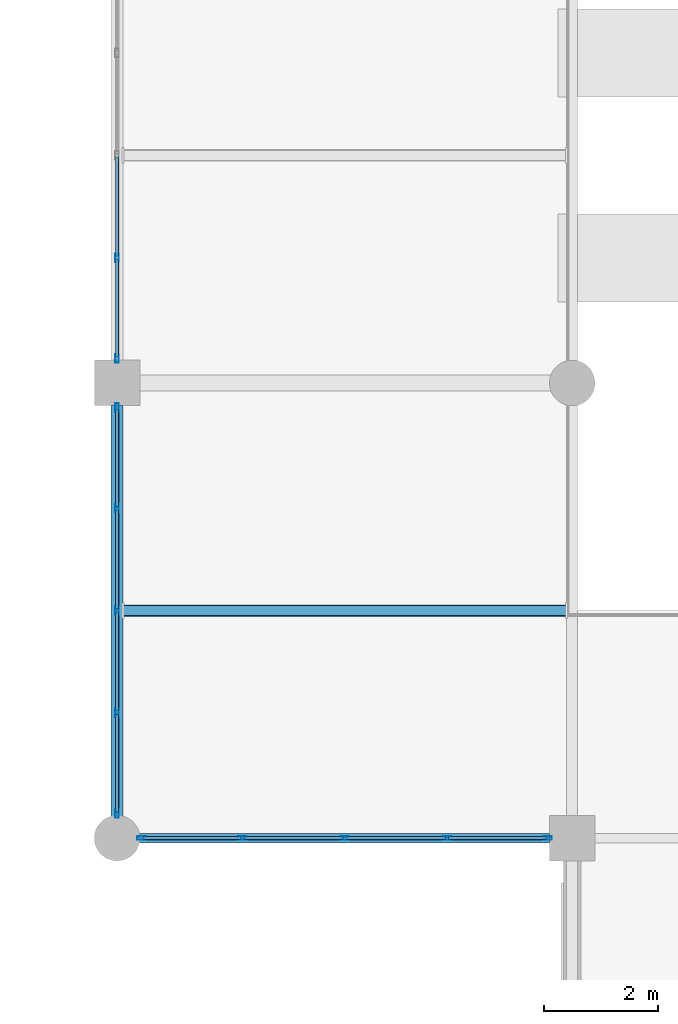
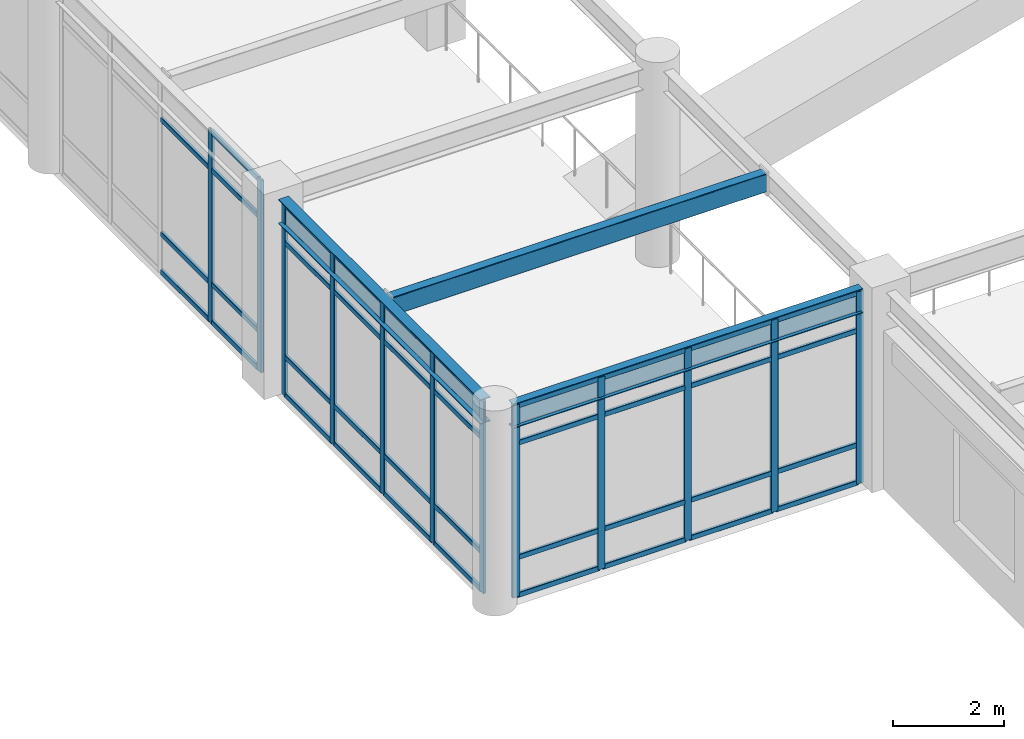
# One storey, part 20 of 93: 51 members, 3 beams, 3 elements without a shape of their own.
"""IFC4 building model written with IfcOpenShell, lengths in metres."""

from ifc_helpers import new_model, si_unit, direction, frame, origin, origin_2d, place, context, subcontext, project, spatial, hollow_rectangle, i_section, extrude, material, material_profile, profile_set, type_object, element, aggregate, save


model = new_model("IFC4")

# Units and contexts
model_context = context("Model", 3, precision=1e-05, world=origin(), true_north=direction((0.0, 1.0)))
body_context = subcontext(model_context, "Body", "Model", "MODEL_VIEW")
ifc_project = project(units=[si_unit("LENGTHUNIT", "METRE"), si_unit("AREAUNIT", "SQUARE_METRE"), si_unit("VOLUMEUNIT", "CUBIC_METRE"), si_unit("PLANEANGLEUNIT", "RADIAN"), si_unit("MASSUNIT", "GRAM", prefix="KILO")], contexts=[model_context])

# Site, building, storey
site_placement = place(None, origin())
site = spatial("IfcSite", under=ifc_project, at=site_placement, CompositionType="ELEMENT")
building_placement = place(site_placement, origin())
building = spatial("IfcBuilding", under=site, at=building_placement, Name="Solmirada Galleria", CompositionType="ELEMENT")
storey_placement = place(building_placement, frame((0.0, 0.0, 14.89990234375)))
storey = spatial("IfcBuildingStorey", under=building, at=storey_placement, Name="L03", CompositionType="ELEMENT", Elevation=14.89990234375)

# Beams
ifc_material_1 = material(Name="Steel S355 / ASTM A992 Grade 50", Category="steel")
ifc_material_profile_1 = material_profile(ifc_material_1, i_section(OverallWidth=0.2099609375, OverallDepth=0.537109375, WebThickness=0.010986328125, FlangeThickness=0.017333984375, FilletRadius=0.014892578125, at=origin_2d()), Name="W21X68")
ifc_profile_set_1 = profile_set([ifc_material_profile_1], Name="Steel S355 / ASTM A992 Grade 50")
beam_type_1 = type_object("IfcBeamType", Name="BM-GIRD-W21B", PredefinedType="BEAM", material=ifc_profile_set_1)
beam_1_placement = place(storey_placement, frame((80.0, 48.3359375, 4.031494140625), z_axis=(0.0, 1.0, 0.0), x_axis=(-1.0, 0.0, 0.0)))
element("IfcBeam", 1, at=beam_1_placement, inside=storey, type_object=beam_type_1, Name="Primary girder L04 Y(80, 48..56)", PredefinedType="BEAM", context=body_context, shape_type="SweptSolid", body=[
    extrude(i_section(OverallWidth=0.2099609375, OverallDepth=0.537109375, WebThickness=0.010986328125, FlangeThickness=0.017333984375, FilletRadius=0.014892578125, at=origin_2d()), origin(), (0.0, 0.0, 1.0), 7.26416015625),
])
ifc_material_profile_2 = material_profile(ifc_material_1, i_section(OverallWidth=0.1669921875, OverallDepth=0.534912109375, WebThickness=0.01025390625, FlangeThickness=0.0166015625, FilletRadius=0.013916015625, at=origin_2d()), Name="W21X57")
ifc_profile_set_2 = profile_set([ifc_material_profile_2], Name="Steel S355 / ASTM A992 Grade 50")
beam_type_2 = type_object("IfcBeamType", Name="BM-GIRD-W21C", PredefinedType="BEAM", material=ifc_profile_set_2)
beam_2_placement = place(storey_placement, frame((80.3359375, 48.0, 4.03271484375), z_axis=(1.0, 0.0, 0.0), x_axis=(0.0, 1.0, 0.0)))
element("IfcBeam", 2, at=beam_2_placement, inside=storey, type_object=beam_type_2, Name="Primary beam L04 X(80..88, 48)", PredefinedType="BEAM", context=body_context, shape_type="SweptSolid", body=[
    extrude(i_section(OverallWidth=0.1669921875, OverallDepth=0.534912109375, WebThickness=0.01025390625, FlangeThickness=0.0166015625, FilletRadius=0.013916015625, at=origin_2d()), origin(), (0.0, 0.0, 1.0), 7.26416015625),
])
ifc_material_2 = material(Name="Steel S355 / ASTM A500 Grade C", Category="steel")
ifc_material_profile_3 = material_profile(ifc_material_2, hollow_rectangle(XDim=0.202880859375, YDim=0.406005859375, WallThickness=0.01171875, InnerFilletRadius=0.01171875, OuterFilletRadius=0.023681640625, at=origin_2d()), Name="HSS16X8X1/2")
ifc_profile_set_3 = profile_set([ifc_material_profile_3], Name="Steel S355 / ASTM A500 Grade C")
beam_type_3 = type_object("IfcBeamType", Name="BM-JST-W16B", PredefinedType="JOIST", material=ifc_profile_set_3)
beam_3_placement = place(storey_placement, frame((80.10498046875, 52.0, 4.09716796875), z_axis=(1.0, 0.0, 0.0), x_axis=(0.0, 1.0, 0.0)))
element("IfcBeam", 3, at=beam_3_placement, inside=storey, type_object=beam_type_3, Name="Composite floor joist L04 (80..88, 52.0)", PredefinedType="JOIST", context=body_context, shape_type="SweptSolid", body=[
    extrude(hollow_rectangle(XDim=0.202880859375, YDim=0.406005859375, WallThickness=0.01171875, InnerFilletRadius=0.01171875, OuterFilletRadius=0.023681640625, at=origin_2d()), origin(), (0.0, 0.0, 1.0), 7.798095703125),
])

# Curtain wall, members
ifc_material_3 = material(Name="Impact-resistant low-E double glazing", Category="glass")
curtain_wall_type = type_object("IfcCurtainWallType", Name="CW-FZ3-L03-B4-L072", PredefinedType="NOTDEFINED", material=ifc_material_3)
curtain_wall_1_placement = place(storey_placement, origin())
curtain_wall_1 = element("IfcCurtainWall", 4, at=curtain_wall_1_placement, inside=storey, type_object=curtain_wall_type, Name="Terrace and arcade storefront CW-L03-118", PredefinedType="NOTDEFINED")
ifc_material_4 = material(Name="Anodised aluminium framing", Category="aluminium")
ifc_material_profile_4 = material_profile(ifc_material_4, hollow_rectangle(XDim=0.06005859375, YDim=0.14990234375, WallThickness=0.00341796875, InnerFilletRadius=0.00341796875, OuterFilletRadius=0.007080078125, at=origin_2d()), Name="ALU-MULL-150X60")
ifc_profile_set_4 = profile_set([ifc_material_profile_4], Name="Anodised aluminium framing")
member_type_1 = type_object("IfcMemberType", Name="CW-MULL-150", PredefinedType="MULLION", material=ifc_profile_set_4)
member_1_placement = place(storey_placement, frame((87.568115234375, 48.0, 0.0), z_axis=(0.0, 0.0, 1.0), x_axis=(0.0, -1.0, 0.0)))
member_1 = element("IfcMember", 5, at=member_1_placement, type_object=member_type_1, Name="CW27 mullion 1", PredefinedType="MULLION", context=body_context, shape_type="SweptSolid", body=[
    extrude(hollow_rectangle(XDim=0.06005859375, YDim=0.14990234375, WallThickness=0.00341796875, InnerFilletRadius=0.00341796875, OuterFilletRadius=0.007080078125, at=origin_2d()), origin(), (0.0, 0.0, 1.0), 4.22021484375),
])
member_2_placement = place(storey_placement, frame((85.799072265625, 48.0, 0.0), z_axis=(0.0, 0.0, 1.0), x_axis=(0.0, -1.0, 0.0)))
member_2 = element("IfcMember", 6, at=member_2_placement, type_object=member_type_1, Name="CW27 mullion 2", PredefinedType="MULLION", context=body_context, shape_type="SweptSolid", body=[
    extrude(hollow_rectangle(XDim=0.06005859375, YDim=0.14990234375, WallThickness=0.00341796875, InnerFilletRadius=0.00341796875, OuterFilletRadius=0.007080078125, at=origin_2d()), origin(), (0.0, 0.0, 1.0), 4.22021484375),
])
member_3_placement = place(storey_placement, frame((84.0, 48.0, 0.0), z_axis=(0.0, 0.0, 1.0), x_axis=(0.0, -1.0, 0.0)))
member_3 = element("IfcMember", 7, at=member_3_placement, type_object=member_type_1, Name="CW27 mullion 3", PredefinedType="MULLION", context=body_context, shape_type="SweptSolid", body=[
    extrude(hollow_rectangle(XDim=0.06005859375, YDim=0.14990234375, WallThickness=0.00341796875, InnerFilletRadius=0.00341796875, OuterFilletRadius=0.007080078125, at=origin_2d()), origin(), (0.0, 0.0, 1.0), 4.22021484375),
])
member_4_placement = place(storey_placement, frame((82.200927734375, 48.0, 0.0), z_axis=(0.0, 0.0, 1.0), x_axis=(0.0, -1.0, 0.0)))
member_4 = element("IfcMember", 8, at=member_4_placement, type_object=member_type_1, Name="CW27 mullion 4", PredefinedType="MULLION", context=body_context, shape_type="SweptSolid", body=[
    extrude(hollow_rectangle(XDim=0.06005859375, YDim=0.14990234375, WallThickness=0.00341796875, InnerFilletRadius=0.00341796875, OuterFilletRadius=0.007080078125, at=origin_2d()), origin(), (0.0, 0.0, 1.0), 4.22021484375),
])
member_5_placement = place(storey_placement, frame((80.431884765625, 48.0, 0.0), z_axis=(0.0, 0.0, 1.0), x_axis=(0.0, -1.0, 0.0)))
member_5 = element("IfcMember", 9, at=member_5_placement, type_object=member_type_1, Name="CW27 mullion 5", PredefinedType="MULLION", context=body_context, shape_type="SweptSolid", body=[
    extrude(hollow_rectangle(XDim=0.06005859375, YDim=0.14990234375, WallThickness=0.00341796875, InnerFilletRadius=0.00341796875, OuterFilletRadius=0.007080078125, at=origin_2d()), origin(), (0.0, 0.0, 1.0), 4.22021484375),
])

curtain_wall_2_placement = place(storey_placement, origin())
curtain_wall_2 = element("IfcCurtainWall", 10, at=curtain_wall_2_placement, inside=storey, type_object=curtain_wall_type, Name="Terrace and arcade storefront CW-L03-119", PredefinedType="NOTDEFINED")
member_6_placement = place(storey_placement, frame((80.0, 48.431884765625, 0.0), z_axis=(0.0, 0.0, 1.0), x_axis=(-1.0, 0.0, 0.0)))
member_6 = element("IfcMember", 11, at=member_6_placement, type_object=member_type_1, Name="CW27 mullion 1", PredefinedType="MULLION", context=body_context, shape_type="SweptSolid", body=[
    extrude(hollow_rectangle(XDim=0.06005859375, YDim=0.14990234375, WallThickness=0.00341796875, InnerFilletRadius=0.00341796875, OuterFilletRadius=0.007080078125, at=origin_2d()), origin(), (0.0, 0.0, 1.0), 4.22021484375),
])
member_7_placement = place(storey_placement, frame((80.0, 50.200927734375, 0.0), z_axis=(0.0, 0.0, 1.0), x_axis=(-1.0, 0.0, 0.0)))
member_7 = element("IfcMember", 12, at=member_7_placement, type_object=member_type_1, Name="CW27 mullion 2", PredefinedType="MULLION", context=body_context, shape_type="SweptSolid", body=[
    extrude(hollow_rectangle(XDim=0.06005859375, YDim=0.14990234375, WallThickness=0.00341796875, InnerFilletRadius=0.00341796875, OuterFilletRadius=0.007080078125, at=origin_2d()), origin(), (0.0, 0.0, 1.0), 4.22021484375),
])
member_8_placement = place(storey_placement, frame((80.0, 52.0, 0.0), z_axis=(0.0, 0.0, 1.0), x_axis=(-1.0, 0.0, 0.0)))
member_8 = element("IfcMember", 13, at=member_8_placement, type_object=member_type_1, Name="CW27 mullion 3", PredefinedType="MULLION", context=body_context, shape_type="SweptSolid", body=[
    extrude(hollow_rectangle(XDim=0.06005859375, YDim=0.14990234375, WallThickness=0.00341796875, InnerFilletRadius=0.00341796875, OuterFilletRadius=0.007080078125, at=origin_2d()), origin(), (0.0, 0.0, 1.0), 4.22021484375),
])
member_9_placement = place(storey_placement, frame((80.0, 53.799072265625, 0.0), z_axis=(0.0, 0.0, 1.0), x_axis=(-1.0, 0.0, 0.0)))
member_9 = element("IfcMember", 14, at=member_9_placement, type_object=member_type_1, Name="CW27 mullion 4", PredefinedType="MULLION", context=body_context, shape_type="SweptSolid", body=[
    extrude(hollow_rectangle(XDim=0.06005859375, YDim=0.14990234375, WallThickness=0.00341796875, InnerFilletRadius=0.00341796875, OuterFilletRadius=0.007080078125, at=origin_2d()), origin(), (0.0, 0.0, 1.0), 4.22021484375),
])
member_10_placement = place(storey_placement, frame((80.0, 55.568115234375, 0.0), z_axis=(0.0, 0.0, 1.0), x_axis=(-1.0, 0.0, 0.0)))
member_10 = element("IfcMember", 15, at=member_10_placement, type_object=member_type_1, Name="CW27 mullion 5", PredefinedType="MULLION", context=body_context, shape_type="SweptSolid", body=[
    extrude(hollow_rectangle(XDim=0.06005859375, YDim=0.14990234375, WallThickness=0.00341796875, InnerFilletRadius=0.00341796875, OuterFilletRadius=0.007080078125, at=origin_2d()), origin(), (0.0, 0.0, 1.0), 4.22021484375),
])

curtain_wall_3_placement = place(storey_placement, origin())
curtain_wall_3 = element("IfcCurtainWall", 16, at=curtain_wall_3_placement, inside=storey, type_object=curtain_wall_type, Name="Terrace and arcade storefront CW-L03-120", PredefinedType="NOTDEFINED")
member_11_placement = place(storey_placement, frame((80.0, 56.431884765625, 0.0), z_axis=(0.0, 0.0, 1.0), x_axis=(-1.0, 0.0, 0.0)))
member_11 = element("IfcMember", 17, at=member_11_placement, type_object=member_type_1, Name="CW27 mullion 1", PredefinedType="MULLION", context=body_context, shape_type="SweptSolid", body=[
    extrude(hollow_rectangle(XDim=0.06005859375, YDim=0.14990234375, WallThickness=0.00341796875, InnerFilletRadius=0.00341796875, OuterFilletRadius=0.007080078125, at=origin_2d()), origin(), (0.0, 0.0, 1.0), 4.22021484375),
])
member_12_placement = place(storey_placement, frame((80.0, 58.200927734375, 0.0), z_axis=(0.0, 0.0, 1.0), x_axis=(-1.0, 0.0, 0.0)))
member_12 = element("IfcMember", 18, at=member_12_placement, type_object=member_type_1, Name="CW27 mullion 2", PredefinedType="MULLION", context=body_context, shape_type="SweptSolid", body=[
    extrude(hollow_rectangle(XDim=0.06005859375, YDim=0.14990234375, WallThickness=0.00341796875, InnerFilletRadius=0.00341796875, OuterFilletRadius=0.007080078125, at=origin_2d()), origin(), (0.0, 0.0, 1.0), 4.22021484375),
])

# Member
ifc_material_profile_5 = material_profile(ifc_material_4, hollow_rectangle(XDim=0.06005859375, YDim=0.110107421875, WallThickness=0.003173828125, InnerFilletRadius=0.003173828125, OuterFilletRadius=0.00634765625, at=origin_2d()), Name="ALU-TRAN-110X60")
ifc_profile_set_5 = profile_set([ifc_material_profile_5], Name="Anodised aluminium framing")
member_type_2 = type_object("IfcMemberType", Name="CW-TRAN-110", PredefinedType="USERDEFINED", material=ifc_profile_set_5)
member_13_placement = place(storey_placement, frame((87.5380859375, 48.0, 0.030029296875), z_axis=(-1.0, 0.0, 0.0), x_axis=(0.0, -1.0, 0.0)))
member_13 = element("IfcMember", 19, at=member_13_placement, type_object=member_type_2, Name="CW27 transom 1.1", ObjectType="TRANSOM", PredefinedType="USERDEFINED", context=body_context, shape_type="SweptSolid", body=[
    extrude(hollow_rectangle(XDim=0.06005859375, YDim=0.110107421875, WallThickness=0.003173828125, InnerFilletRadius=0.003173828125, OuterFilletRadius=0.00634765625, at=origin_2d()), origin(), (0.0, 0.0, 1.0), 1.708984375),
])

member_14_placement = place(storey_placement, frame((87.5380859375, 48.0, 0.860107421875), z_axis=(-1.0, 0.0, 0.0), x_axis=(0.0, -1.0, 0.0)))
member_14 = element("IfcMember", 20, at=member_14_placement, type_object=member_type_2, Name="CW27 transom 1.2", ObjectType="TRANSOM", PredefinedType="USERDEFINED", context=body_context, shape_type="SweptSolid", body=[
    extrude(hollow_rectangle(XDim=0.06005859375, YDim=0.110107421875, WallThickness=0.003173828125, InnerFilletRadius=0.003173828125, OuterFilletRadius=0.00634765625, at=origin_2d()), origin(), (0.0, 0.0, 1.0), 1.708984375),
])

member_15_placement = place(storey_placement, frame((87.5380859375, 48.0, 3.3701171875), z_axis=(-1.0, 0.0, 0.0), x_axis=(0.0, -1.0, 0.0)))
member_15 = element("IfcMember", 21, at=member_15_placement, type_object=member_type_2, Name="CW27 transom 1.3", ObjectType="TRANSOM", PredefinedType="USERDEFINED", context=body_context, shape_type="SweptSolid", body=[
    extrude(hollow_rectangle(XDim=0.06005859375, YDim=0.110107421875, WallThickness=0.003173828125, InnerFilletRadius=0.003173828125, OuterFilletRadius=0.00634765625, at=origin_2d()), origin(), (0.0, 0.0, 1.0), 1.708984375),
])

member_16_placement = place(storey_placement, frame((87.5380859375, 48.0, 4.190185546875), z_axis=(-1.0, 0.0, 0.0), x_axis=(0.0, -1.0, 0.0)))
member_16 = element("IfcMember", 22, at=member_16_placement, type_object=member_type_2, Name="CW27 transom 1.4", ObjectType="TRANSOM", PredefinedType="USERDEFINED", context=body_context, shape_type="SweptSolid", body=[
    extrude(hollow_rectangle(XDim=0.06005859375, YDim=0.110107421875, WallThickness=0.003173828125, InnerFilletRadius=0.003173828125, OuterFilletRadius=0.00634765625, at=origin_2d()), origin(), (0.0, 0.0, 1.0), 1.708984375),
])

member_17_placement = place(storey_placement, frame((85.76904296875, 48.0, 0.030029296875), z_axis=(-1.0, 0.0, 0.0), x_axis=(0.0, -1.0, 0.0)))
member_17 = element("IfcMember", 23, at=member_17_placement, type_object=member_type_2, Name="CW27 transom 2.1", ObjectType="TRANSOM", PredefinedType="USERDEFINED", context=body_context, shape_type="SweptSolid", body=[
    extrude(hollow_rectangle(XDim=0.06005859375, YDim=0.110107421875, WallThickness=0.003173828125, InnerFilletRadius=0.003173828125, OuterFilletRadius=0.00634765625, at=origin_2d()), origin(), (0.0, 0.0, 1.0), 1.739013671875),
])

member_18_placement = place(storey_placement, frame((85.76904296875, 48.0, 0.860107421875), z_axis=(-1.0, 0.0, 0.0), x_axis=(0.0, -1.0, 0.0)))
member_18 = element("IfcMember", 24, at=member_18_placement, type_object=member_type_2, Name="CW27 transom 2.2", ObjectType="TRANSOM", PredefinedType="USERDEFINED", context=body_context, shape_type="SweptSolid", body=[
    extrude(hollow_rectangle(XDim=0.06005859375, YDim=0.110107421875, WallThickness=0.003173828125, InnerFilletRadius=0.003173828125, OuterFilletRadius=0.00634765625, at=origin_2d()), origin(), (0.0, 0.0, 1.0), 1.739013671875),
])

member_19_placement = place(storey_placement, frame((85.76904296875, 48.0, 3.3701171875), z_axis=(-1.0, 0.0, 0.0), x_axis=(0.0, -1.0, 0.0)))
member_19 = element("IfcMember", 25, at=member_19_placement, type_object=member_type_2, Name="CW27 transom 2.3", ObjectType="TRANSOM", PredefinedType="USERDEFINED", context=body_context, shape_type="SweptSolid", body=[
    extrude(hollow_rectangle(XDim=0.06005859375, YDim=0.110107421875, WallThickness=0.003173828125, InnerFilletRadius=0.003173828125, OuterFilletRadius=0.00634765625, at=origin_2d()), origin(), (0.0, 0.0, 1.0), 1.739013671875),
])

member_20_placement = place(storey_placement, frame((85.76904296875, 48.0, 4.190185546875), z_axis=(-1.0, 0.0, 0.0), x_axis=(0.0, -1.0, 0.0)))
member_20 = element("IfcMember", 26, at=member_20_placement, type_object=member_type_2, Name="CW27 transom 2.4", ObjectType="TRANSOM", PredefinedType="USERDEFINED", context=body_context, shape_type="SweptSolid", body=[
    extrude(hollow_rectangle(XDim=0.06005859375, YDim=0.110107421875, WallThickness=0.003173828125, InnerFilletRadius=0.003173828125, OuterFilletRadius=0.00634765625, at=origin_2d()), origin(), (0.0, 0.0, 1.0), 1.739013671875),
])

member_21_placement = place(storey_placement, frame((83.969970703125, 48.0, 0.030029296875), z_axis=(-1.0, 0.0, 0.0), x_axis=(0.0, -1.0, 0.0)))
member_21 = element("IfcMember", 27, at=member_21_placement, type_object=member_type_2, Name="CW27 transom 3.1", ObjectType="TRANSOM", PredefinedType="USERDEFINED", context=body_context, shape_type="SweptSolid", body=[
    extrude(hollow_rectangle(XDim=0.06005859375, YDim=0.110107421875, WallThickness=0.003173828125, InnerFilletRadius=0.003173828125, OuterFilletRadius=0.00634765625, at=origin_2d()), origin(), (0.0, 0.0, 1.0), 1.739013671875),
])

member_22_placement = place(storey_placement, frame((83.969970703125, 48.0, 0.860107421875), z_axis=(-1.0, 0.0, 0.0), x_axis=(0.0, -1.0, 0.0)))
member_22 = element("IfcMember", 28, at=member_22_placement, type_object=member_type_2, Name="CW27 transom 3.2", ObjectType="TRANSOM", PredefinedType="USERDEFINED", context=body_context, shape_type="SweptSolid", body=[
    extrude(hollow_rectangle(XDim=0.06005859375, YDim=0.110107421875, WallThickness=0.003173828125, InnerFilletRadius=0.003173828125, OuterFilletRadius=0.00634765625, at=origin_2d()), origin(), (0.0, 0.0, 1.0), 1.739013671875),
])

member_23_placement = place(storey_placement, frame((83.969970703125, 48.0, 3.3701171875), z_axis=(-1.0, 0.0, 0.0), x_axis=(0.0, -1.0, 0.0)))
member_23 = element("IfcMember", 29, at=member_23_placement, type_object=member_type_2, Name="CW27 transom 3.3", ObjectType="TRANSOM", PredefinedType="USERDEFINED", context=body_context, shape_type="SweptSolid", body=[
    extrude(hollow_rectangle(XDim=0.06005859375, YDim=0.110107421875, WallThickness=0.003173828125, InnerFilletRadius=0.003173828125, OuterFilletRadius=0.00634765625, at=origin_2d()), origin(), (0.0, 0.0, 1.0), 1.739013671875),
])

member_24_placement = place(storey_placement, frame((83.969970703125, 48.0, 4.190185546875), z_axis=(-1.0, 0.0, 0.0), x_axis=(0.0, -1.0, 0.0)))
member_24 = element("IfcMember", 30, at=member_24_placement, type_object=member_type_2, Name="CW27 transom 3.4", ObjectType="TRANSOM", PredefinedType="USERDEFINED", context=body_context, shape_type="SweptSolid", body=[
    extrude(hollow_rectangle(XDim=0.06005859375, YDim=0.110107421875, WallThickness=0.003173828125, InnerFilletRadius=0.003173828125, OuterFilletRadius=0.00634765625, at=origin_2d()), origin(), (0.0, 0.0, 1.0), 1.739013671875),
])

member_25_placement = place(storey_placement, frame((82.1708984375, 48.0, 0.030029296875), z_axis=(-1.0, 0.0, 0.0), x_axis=(0.0, -1.0, 0.0)))
member_25 = element("IfcMember", 31, at=member_25_placement, type_object=member_type_2, Name="CW27 transom 4.1", ObjectType="TRANSOM", PredefinedType="USERDEFINED", context=body_context, shape_type="SweptSolid", body=[
    extrude(hollow_rectangle(XDim=0.06005859375, YDim=0.110107421875, WallThickness=0.003173828125, InnerFilletRadius=0.003173828125, OuterFilletRadius=0.00634765625, at=origin_2d()), origin(), (0.0, 0.0, 1.0), 1.708984375),
])

member_26_placement = place(storey_placement, frame((82.1708984375, 48.0, 0.860107421875), z_axis=(-1.0, 0.0, 0.0), x_axis=(0.0, -1.0, 0.0)))
member_26 = element("IfcMember", 32, at=member_26_placement, type_object=member_type_2, Name="CW27 transom 4.2", ObjectType="TRANSOM", PredefinedType="USERDEFINED", context=body_context, shape_type="SweptSolid", body=[
    extrude(hollow_rectangle(XDim=0.06005859375, YDim=0.110107421875, WallThickness=0.003173828125, InnerFilletRadius=0.003173828125, OuterFilletRadius=0.00634765625, at=origin_2d()), origin(), (0.0, 0.0, 1.0), 1.708984375),
])

member_27_placement = place(storey_placement, frame((82.1708984375, 48.0, 3.3701171875), z_axis=(-1.0, 0.0, 0.0), x_axis=(0.0, -1.0, 0.0)))
member_27 = element("IfcMember", 33, at=member_27_placement, type_object=member_type_2, Name="CW27 transom 4.3", ObjectType="TRANSOM", PredefinedType="USERDEFINED", context=body_context, shape_type="SweptSolid", body=[
    extrude(hollow_rectangle(XDim=0.06005859375, YDim=0.110107421875, WallThickness=0.003173828125, InnerFilletRadius=0.003173828125, OuterFilletRadius=0.00634765625, at=origin_2d()), origin(), (0.0, 0.0, 1.0), 1.708984375),
])

member_28_placement = place(storey_placement, frame((82.1708984375, 48.0, 4.190185546875), z_axis=(-1.0, 0.0, 0.0), x_axis=(0.0, -1.0, 0.0)))
member_28 = element("IfcMember", 34, at=member_28_placement, type_object=member_type_2, Name="CW27 transom 4.4", ObjectType="TRANSOM", PredefinedType="USERDEFINED", context=body_context, shape_type="SweptSolid", body=[
    extrude(hollow_rectangle(XDim=0.06005859375, YDim=0.110107421875, WallThickness=0.003173828125, InnerFilletRadius=0.003173828125, OuterFilletRadius=0.00634765625, at=origin_2d()), origin(), (0.0, 0.0, 1.0), 1.708984375),
])

aggregate(curtain_wall_1, [member_1, member_2, member_3, member_4, member_5, member_13, member_14, member_15, member_16, member_17, member_18, member_19, member_20, member_21, member_22, member_23, member_24, member_25, member_26, member_27, member_28])

member_29_placement = place(storey_placement, frame((80.0, 48.4619140625, 0.030029296875), z_axis=(0.0, 1.0, 0.0), x_axis=(-1.0, 0.0, 0.0)))
member_29 = element("IfcMember", 35, at=member_29_placement, type_object=member_type_2, Name="CW27 transom 1.1", ObjectType="TRANSOM", PredefinedType="USERDEFINED", context=body_context, shape_type="SweptSolid", body=[
    extrude(hollow_rectangle(XDim=0.06005859375, YDim=0.110107421875, WallThickness=0.003173828125, InnerFilletRadius=0.003173828125, OuterFilletRadius=0.00634765625, at=origin_2d()), origin(), (0.0, 0.0, 1.0), 1.708984375),
])

member_30_placement = place(storey_placement, frame((80.0, 48.4619140625, 0.860107421875), z_axis=(0.0, 1.0, 0.0), x_axis=(-1.0, 0.0, 0.0)))
member_30 = element("IfcMember", 36, at=member_30_placement, type_object=member_type_2, Name="CW27 transom 1.2", ObjectType="TRANSOM", PredefinedType="USERDEFINED", context=body_context, shape_type="SweptSolid", body=[
    extrude(hollow_rectangle(XDim=0.06005859375, YDim=0.110107421875, WallThickness=0.003173828125, InnerFilletRadius=0.003173828125, OuterFilletRadius=0.00634765625, at=origin_2d()), origin(), (0.0, 0.0, 1.0), 1.708984375),
])

member_31_placement = place(storey_placement, frame((80.0, 48.4619140625, 3.3701171875), z_axis=(0.0, 1.0, 0.0), x_axis=(-1.0, 0.0, 0.0)))
member_31 = element("IfcMember", 37, at=member_31_placement, type_object=member_type_2, Name="CW27 transom 1.3", ObjectType="TRANSOM", PredefinedType="USERDEFINED", context=body_context, shape_type="SweptSolid", body=[
    extrude(hollow_rectangle(XDim=0.06005859375, YDim=0.110107421875, WallThickness=0.003173828125, InnerFilletRadius=0.003173828125, OuterFilletRadius=0.00634765625, at=origin_2d()), origin(), (0.0, 0.0, 1.0), 1.708984375),
])

member_32_placement = place(storey_placement, frame((80.0, 48.4619140625, 4.190185546875), z_axis=(0.0, 1.0, 0.0), x_axis=(-1.0, 0.0, 0.0)))
member_32 = element("IfcMember", 38, at=member_32_placement, type_object=member_type_2, Name="CW27 transom 1.4", ObjectType="TRANSOM", PredefinedType="USERDEFINED", context=body_context, shape_type="SweptSolid", body=[
    extrude(hollow_rectangle(XDim=0.06005859375, YDim=0.110107421875, WallThickness=0.003173828125, InnerFilletRadius=0.003173828125, OuterFilletRadius=0.00634765625, at=origin_2d()), origin(), (0.0, 0.0, 1.0), 1.708984375),
])

member_33_placement = place(storey_placement, frame((80.0, 50.23095703125, 0.030029296875), z_axis=(0.0, 1.0, 0.0), x_axis=(-1.0, 0.0, 0.0)))
member_33 = element("IfcMember", 39, at=member_33_placement, type_object=member_type_2, Name="CW27 transom 2.1", ObjectType="TRANSOM", PredefinedType="USERDEFINED", context=body_context, shape_type="SweptSolid", body=[
    extrude(hollow_rectangle(XDim=0.06005859375, YDim=0.110107421875, WallThickness=0.003173828125, InnerFilletRadius=0.003173828125, OuterFilletRadius=0.00634765625, at=origin_2d()), origin(), (0.0, 0.0, 1.0), 1.739013671875),
])

member_34_placement = place(storey_placement, frame((80.0, 50.23095703125, 0.860107421875), z_axis=(0.0, 1.0, 0.0), x_axis=(-1.0, 0.0, 0.0)))
member_34 = element("IfcMember", 40, at=member_34_placement, type_object=member_type_2, Name="CW27 transom 2.2", ObjectType="TRANSOM", PredefinedType="USERDEFINED", context=body_context, shape_type="SweptSolid", body=[
    extrude(hollow_rectangle(XDim=0.06005859375, YDim=0.110107421875, WallThickness=0.003173828125, InnerFilletRadius=0.003173828125, OuterFilletRadius=0.00634765625, at=origin_2d()), origin(), (0.0, 0.0, 1.0), 1.739013671875),
])

member_35_placement = place(storey_placement, frame((80.0, 50.23095703125, 3.3701171875), z_axis=(0.0, 1.0, 0.0), x_axis=(-1.0, 0.0, 0.0)))
member_35 = element("IfcMember", 41, at=member_35_placement, type_object=member_type_2, Name="CW27 transom 2.3", ObjectType="TRANSOM", PredefinedType="USERDEFINED", context=body_context, shape_type="SweptSolid", body=[
    extrude(hollow_rectangle(XDim=0.06005859375, YDim=0.110107421875, WallThickness=0.003173828125, InnerFilletRadius=0.003173828125, OuterFilletRadius=0.00634765625, at=origin_2d()), origin(), (0.0, 0.0, 1.0), 1.739013671875),
])

member_36_placement = place(storey_placement, frame((80.0, 50.23095703125, 4.190185546875), z_axis=(0.0, 1.0, 0.0), x_axis=(-1.0, 0.0, 0.0)))
member_36 = element("IfcMember", 42, at=member_36_placement, type_object=member_type_2, Name="CW27 transom 2.4", ObjectType="TRANSOM", PredefinedType="USERDEFINED", context=body_context, shape_type="SweptSolid", body=[
    extrude(hollow_rectangle(XDim=0.06005859375, YDim=0.110107421875, WallThickness=0.003173828125, InnerFilletRadius=0.003173828125, OuterFilletRadius=0.00634765625, at=origin_2d()), origin(), (0.0, 0.0, 1.0), 1.739013671875),
])

member_37_placement = place(storey_placement, frame((80.0, 52.030029296875, 0.030029296875), z_axis=(0.0, 1.0, 0.0), x_axis=(-1.0, 0.0, 0.0)))
member_37 = element("IfcMember", 43, at=member_37_placement, type_object=member_type_2, Name="CW27 transom 3.1", ObjectType="TRANSOM", PredefinedType="USERDEFINED", context=body_context, shape_type="SweptSolid", body=[
    extrude(hollow_rectangle(XDim=0.06005859375, YDim=0.110107421875, WallThickness=0.003173828125, InnerFilletRadius=0.003173828125, OuterFilletRadius=0.00634765625, at=origin_2d()), origin(), (0.0, 0.0, 1.0), 1.739013671875),
])

member_38_placement = place(storey_placement, frame((80.0, 52.030029296875, 0.860107421875), z_axis=(0.0, 1.0, 0.0), x_axis=(-1.0, 0.0, 0.0)))
member_38 = element("IfcMember", 44, at=member_38_placement, type_object=member_type_2, Name="CW27 transom 3.2", ObjectType="TRANSOM", PredefinedType="USERDEFINED", context=body_context, shape_type="SweptSolid", body=[
    extrude(hollow_rectangle(XDim=0.06005859375, YDim=0.110107421875, WallThickness=0.003173828125, InnerFilletRadius=0.003173828125, OuterFilletRadius=0.00634765625, at=origin_2d()), origin(), (0.0, 0.0, 1.0), 1.739013671875),
])

member_39_placement = place(storey_placement, frame((80.0, 52.030029296875, 3.3701171875), z_axis=(0.0, 1.0, 0.0), x_axis=(-1.0, 0.0, 0.0)))
member_39 = element("IfcMember", 45, at=member_39_placement, type_object=member_type_2, Name="CW27 transom 3.3", ObjectType="TRANSOM", PredefinedType="USERDEFINED", context=body_context, shape_type="SweptSolid", body=[
    extrude(hollow_rectangle(XDim=0.06005859375, YDim=0.110107421875, WallThickness=0.003173828125, InnerFilletRadius=0.003173828125, OuterFilletRadius=0.00634765625, at=origin_2d()), origin(), (0.0, 0.0, 1.0), 1.739013671875),
])

member_40_placement = place(storey_placement, frame((80.0, 52.030029296875, 4.190185546875), z_axis=(0.0, 1.0, 0.0), x_axis=(-1.0, 0.0, 0.0)))
member_40 = element("IfcMember", 46, at=member_40_placement, type_object=member_type_2, Name="CW27 transom 3.4", ObjectType="TRANSOM", PredefinedType="USERDEFINED", context=body_context, shape_type="SweptSolid", body=[
    extrude(hollow_rectangle(XDim=0.06005859375, YDim=0.110107421875, WallThickness=0.003173828125, InnerFilletRadius=0.003173828125, OuterFilletRadius=0.00634765625, at=origin_2d()), origin(), (0.0, 0.0, 1.0), 1.739013671875),
])

member_41_placement = place(storey_placement, frame((80.0, 53.8291015625, 0.030029296875), z_axis=(0.0, 1.0, 0.0), x_axis=(-1.0, 0.0, 0.0)))
member_41 = element("IfcMember", 47, at=member_41_placement, type_object=member_type_2, Name="CW27 transom 4.1", ObjectType="TRANSOM", PredefinedType="USERDEFINED", context=body_context, shape_type="SweptSolid", body=[
    extrude(hollow_rectangle(XDim=0.06005859375, YDim=0.110107421875, WallThickness=0.003173828125, InnerFilletRadius=0.003173828125, OuterFilletRadius=0.00634765625, at=origin_2d()), origin(), (0.0, 0.0, 1.0), 1.708984375),
])

member_42_placement = place(storey_placement, frame((80.0, 53.8291015625, 0.860107421875), z_axis=(0.0, 1.0, 0.0), x_axis=(-1.0, 0.0, 0.0)))
member_42 = element("IfcMember", 48, at=member_42_placement, type_object=member_type_2, Name="CW27 transom 4.2", ObjectType="TRANSOM", PredefinedType="USERDEFINED", context=body_context, shape_type="SweptSolid", body=[
    extrude(hollow_rectangle(XDim=0.06005859375, YDim=0.110107421875, WallThickness=0.003173828125, InnerFilletRadius=0.003173828125, OuterFilletRadius=0.00634765625, at=origin_2d()), origin(), (0.0, 0.0, 1.0), 1.708984375),
])

member_43_placement = place(storey_placement, frame((80.0, 53.8291015625, 3.3701171875), z_axis=(0.0, 1.0, 0.0), x_axis=(-1.0, 0.0, 0.0)))
member_43 = element("IfcMember", 49, at=member_43_placement, type_object=member_type_2, Name="CW27 transom 4.3", ObjectType="TRANSOM", PredefinedType="USERDEFINED", context=body_context, shape_type="SweptSolid", body=[
    extrude(hollow_rectangle(XDim=0.06005859375, YDim=0.110107421875, WallThickness=0.003173828125, InnerFilletRadius=0.003173828125, OuterFilletRadius=0.00634765625, at=origin_2d()), origin(), (0.0, 0.0, 1.0), 1.708984375),
])

member_44_placement = place(storey_placement, frame((80.0, 53.8291015625, 4.190185546875), z_axis=(0.0, 1.0, 0.0), x_axis=(-1.0, 0.0, 0.0)))
member_44 = element("IfcMember", 50, at=member_44_placement, type_object=member_type_2, Name="CW27 transom 4.4", ObjectType="TRANSOM", PredefinedType="USERDEFINED", context=body_context, shape_type="SweptSolid", body=[
    extrude(hollow_rectangle(XDim=0.06005859375, YDim=0.110107421875, WallThickness=0.003173828125, InnerFilletRadius=0.003173828125, OuterFilletRadius=0.00634765625, at=origin_2d()), origin(), (0.0, 0.0, 1.0), 1.708984375),
])

aggregate(curtain_wall_2, [member_6, member_7, member_8, member_9, member_10, member_29, member_30, member_31, member_32, member_33, member_34, member_35, member_36, member_37, member_38, member_39, member_40, member_41, member_42, member_43, member_44])

member_45_placement = place(storey_placement, frame((80.0, 56.4619140625, 0.030029296875), z_axis=(0.0, 1.0, 0.0), x_axis=(-1.0, 0.0, 0.0)))
member_45 = element("IfcMember", 51, at=member_45_placement, type_object=member_type_2, Name="CW27 transom 1.1", ObjectType="TRANSOM", PredefinedType="USERDEFINED", context=body_context, shape_type="SweptSolid", body=[
    extrude(hollow_rectangle(XDim=0.06005859375, YDim=0.110107421875, WallThickness=0.003173828125, InnerFilletRadius=0.003173828125, OuterFilletRadius=0.00634765625, at=origin_2d()), origin(), (0.0, 0.0, 1.0), 1.708984375),
])

member_46_placement = place(storey_placement, frame((80.0, 56.4619140625, 0.860107421875), z_axis=(0.0, 1.0, 0.0), x_axis=(-1.0, 0.0, 0.0)))
member_46 = element("IfcMember", 52, at=member_46_placement, type_object=member_type_2, Name="CW27 transom 1.2", ObjectType="TRANSOM", PredefinedType="USERDEFINED", context=body_context, shape_type="SweptSolid", body=[
    extrude(hollow_rectangle(XDim=0.06005859375, YDim=0.110107421875, WallThickness=0.003173828125, InnerFilletRadius=0.003173828125, OuterFilletRadius=0.00634765625, at=origin_2d()), origin(), (0.0, 0.0, 1.0), 1.708984375),
])

member_47_placement = place(storey_placement, frame((80.0, 56.4619140625, 3.3701171875), z_axis=(0.0, 1.0, 0.0), x_axis=(-1.0, 0.0, 0.0)))
member_47 = element("IfcMember", 53, at=member_47_placement, type_object=member_type_2, Name="CW27 transom 1.3", ObjectType="TRANSOM", PredefinedType="USERDEFINED", context=body_context, shape_type="SweptSolid", body=[
    extrude(hollow_rectangle(XDim=0.06005859375, YDim=0.110107421875, WallThickness=0.003173828125, InnerFilletRadius=0.003173828125, OuterFilletRadius=0.00634765625, at=origin_2d()), origin(), (0.0, 0.0, 1.0), 1.708984375),
])

member_48_placement = place(storey_placement, frame((80.0, 56.4619140625, 4.190185546875), z_axis=(0.0, 1.0, 0.0), x_axis=(-1.0, 0.0, 0.0)))
member_48 = element("IfcMember", 54, at=member_48_placement, type_object=member_type_2, Name="CW27 transom 1.4", ObjectType="TRANSOM", PredefinedType="USERDEFINED", context=body_context, shape_type="SweptSolid", body=[
    extrude(hollow_rectangle(XDim=0.06005859375, YDim=0.110107421875, WallThickness=0.003173828125, InnerFilletRadius=0.003173828125, OuterFilletRadius=0.00634765625, at=origin_2d()), origin(), (0.0, 0.0, 1.0), 1.708984375),
])

member_49_placement = place(storey_placement, frame((80.0, 58.23095703125, 0.030029296875), z_axis=(0.0, 1.0, 0.0), x_axis=(-1.0, 0.0, 0.0)))
member_49 = element("IfcMember", 55, at=member_49_placement, type_object=member_type_2, Name="CW27 transom 2.1", ObjectType="TRANSOM", PredefinedType="USERDEFINED", context=body_context, shape_type="SweptSolid", body=[
    extrude(hollow_rectangle(XDim=0.06005859375, YDim=0.110107421875, WallThickness=0.003173828125, InnerFilletRadius=0.003173828125, OuterFilletRadius=0.00634765625, at=origin_2d()), origin(), (0.0, 0.0, 1.0), 1.739013671875),
])

member_50_placement = place(storey_placement, frame((80.0, 58.23095703125, 0.860107421875), z_axis=(0.0, 1.0, 0.0), x_axis=(-1.0, 0.0, 0.0)))
member_50 = element("IfcMember", 56, at=member_50_placement, type_object=member_type_2, Name="CW27 transom 2.2", ObjectType="TRANSOM", PredefinedType="USERDEFINED", context=body_context, shape_type="SweptSolid", body=[
    extrude(hollow_rectangle(XDim=0.06005859375, YDim=0.110107421875, WallThickness=0.003173828125, InnerFilletRadius=0.003173828125, OuterFilletRadius=0.00634765625, at=origin_2d()), origin(), (0.0, 0.0, 1.0), 1.739013671875),
])

member_51_placement = place(storey_placement, frame((80.0, 58.23095703125, 3.3701171875), z_axis=(0.0, 1.0, 0.0), x_axis=(-1.0, 0.0, 0.0)))
member_51 = element("IfcMember", 57, at=member_51_placement, type_object=member_type_2, Name="CW27 transom 2.3", ObjectType="TRANSOM", PredefinedType="USERDEFINED", context=body_context, shape_type="SweptSolid", body=[
    extrude(hollow_rectangle(XDim=0.06005859375, YDim=0.110107421875, WallThickness=0.003173828125, InnerFilletRadius=0.003173828125, OuterFilletRadius=0.00634765625, at=origin_2d()), origin(), (0.0, 0.0, 1.0), 1.739013671875),
])

aggregate(curtain_wall_3, [member_11, member_12, member_45, member_46, member_47, member_48, member_49, member_50, member_51])

save(model, "model.ifc")
